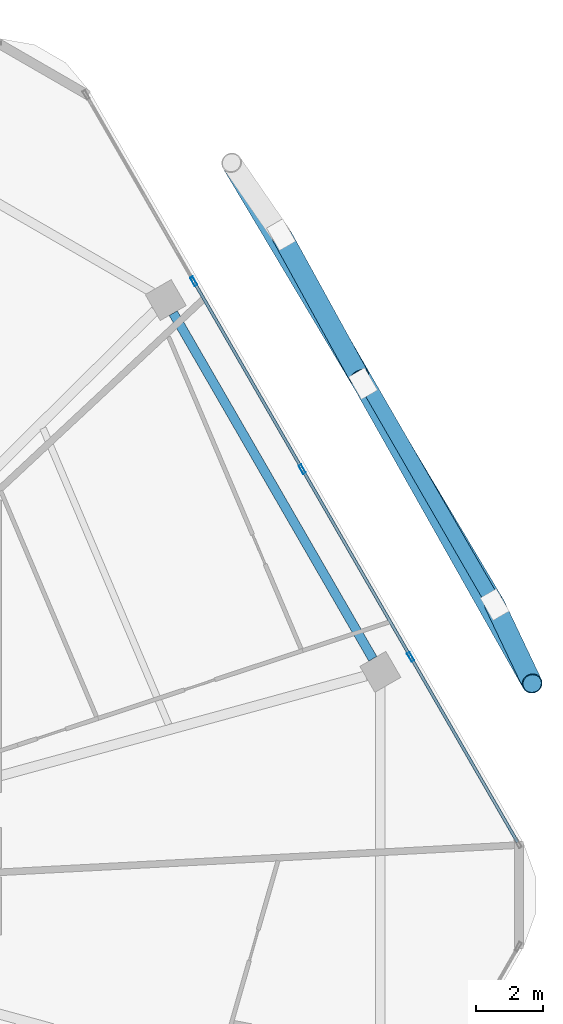
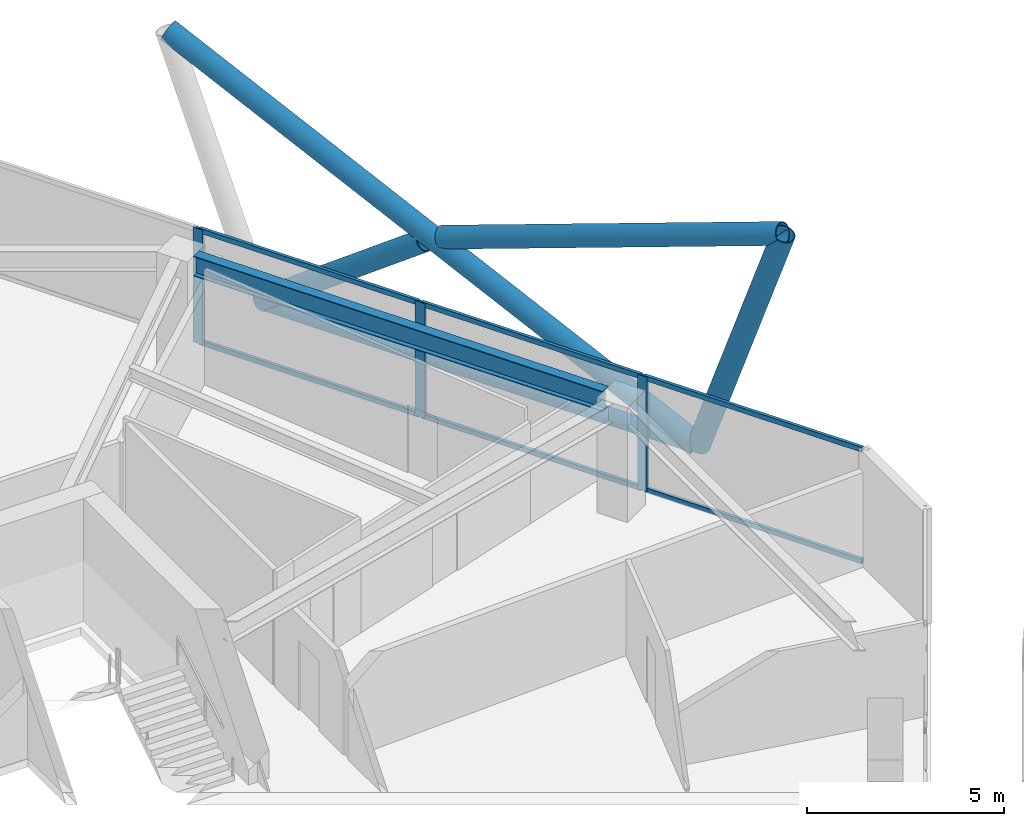
# One storey, part 17 of 28: 14 members, 1 beam, 1 element without a shape of its own.
"""IFC4 building model written with IfcOpenShell, lengths in metres."""

from ifc_helpers import new_model, si_unit, direction, frame, origin, origin_2d, place, context, subcontext, project, spatial, hollow_rectangle, hollow_circle, i_section, extrude, material, material_profile, profile_set, type_object, element, aggregate, save


model = new_model("IFC4")

# Units and contexts
model_context = context("Model", 3, precision=1e-05, world=origin(), true_north=direction((0.0, 1.0)))
body_context = subcontext(model_context, "Body", "Model", "MODEL_VIEW")
ifc_project = project(units=[si_unit("LENGTHUNIT", "METRE"), si_unit("AREAUNIT", "SQUARE_METRE"), si_unit("VOLUMEUNIT", "CUBIC_METRE"), si_unit("PLANEANGLEUNIT", "RADIAN"), si_unit("MASSUNIT", "GRAM", prefix="KILO")], contexts=[model_context])

# Site, building, storey
site_placement = place(None, origin())
site = spatial("IfcSite", under=ifc_project, at=site_placement, CompositionType="ELEMENT")
building_placement = place(site_placement, origin())
building = spatial("IfcBuilding", under=site, at=building_placement, Name="Zuhravey Tower", CompositionType="ELEMENT")
storey_placement = place(building_placement, frame((0.0, 0.0, 254.0)))
storey = spatial("IfcBuildingStorey", under=building, at=storey_placement, Name="L64", CompositionType="ELEMENT", Elevation=254.0)

# Curtain wall, members
ifc_material_1 = material(Name="Thermally broken anodised aluminium", Category="aluminium")
curtain_wall_type = type_object("IfcCurtainWallType", Name="Zone 3-4 High-Rise Curtain Wall CW4", PredefinedType="NOTDEFINED", material=ifc_material_1)
curtain_wall_placement = place(storey_placement, origin())
curtain_wall = element("IfcCurtainWall", 1, at=curtain_wall_placement, inside=storey, type_object=curtain_wall_type, Name="L64 CW4 CW-L64-F1-1", PredefinedType="NOTDEFINED")
ifc_material_2 = material(Name="Anodised aluminium", Category="aluminium")
ifc_material_profile_1 = material_profile(ifc_material_2, hollow_rectangle(XDim=0.090087890625, YDim=0.284912109375, WallThickness=0.0048828125, at=origin_2d()), Name="ALU-RHS-90x285x5")
ifc_profile_set_1 = profile_set([ifc_material_profile_1], Name="Anodised aluminium")
member_type_1 = type_object("IfcMemberType", Name="Curtain-Wall Mullion 90x180", PredefinedType="MULLION", material=ifc_profile_set_1)
member_1_placement = place(storey_placement, frame((54.885498046875, 50.41650390625, 0.0), z_axis=(0.0, 0.0, 1.0), x_axis=(0.866024851021, 0.500000957414, 0.0)))
member_1 = element("IfcMember", 2, at=member_1_placement, type_object=member_type_1, Name="CW4 mullion 2", PredefinedType="MULLION", context=body_context, shape_type="SweptSolid", body=[
    extrude(hollow_rectangle(XDim=0.090087890625, YDim=0.284912109375, WallThickness=0.0048828125, at=origin_2d()), origin(), (0.0, 0.0, 1.0), 3.550048828125),
])
member_2_placement = place(storey_placement, frame((58.138671875, 44.78173828125, 0.0), z_axis=(0.0, 0.0, 1.0), x_axis=(0.866024851021, 0.500000957414, 0.0)))
member_2 = element("IfcMember", 3, at=member_2_placement, type_object=member_type_1, Name="CW4 mullion 3", PredefinedType="MULLION", context=body_context, shape_type="SweptSolid", body=[
    extrude(hollow_rectangle(XDim=0.090087890625, YDim=0.284912109375, WallThickness=0.0048828125, at=origin_2d()), origin(), (0.0, 0.0, 1.0), 3.550048828125),
])
member_3_placement = place(storey_placement, frame((61.391845703125, 39.147216796875, 0.0), z_axis=(0.0, 0.0, 1.0), x_axis=(0.866024851021, 0.500000957414, 0.0)))
member_3 = element("IfcMember", 4, at=member_3_placement, type_object=member_type_1, Name="CW4 mullion 4", PredefinedType="MULLION", context=body_context, shape_type="SweptSolid", body=[
    extrude(hollow_rectangle(XDim=0.090087890625, YDim=0.284912109375, WallThickness=0.0048828125, at=origin_2d()), origin(), (0.0, 0.0, 1.0), 3.550048828125),
])
ifc_material_profile_2 = material_profile(ifc_material_2, hollow_rectangle(XDim=0.090087890625, YDim=0.14990234375, WallThickness=0.0048828125, at=origin_2d()), Name="ALU-RHS-90x150x5")
ifc_profile_set_2 = profile_set([ifc_material_profile_2], Name="Anodised aluminium")
member_type_2 = type_object("IfcMemberType", Name="Curtain-Wall Transom 90x150", PredefinedType="USERDEFINED", material=ifc_profile_set_2)
member_4_placement = place(storey_placement, frame((54.907958984375, 50.37744140625, 0.044921875), z_axis=(0.500014493347, -0.866017035885, 0.0), x_axis=(0.866017035885, 0.500014493347, 0.0)))
member_4 = element("IfcMember", 5, at=member_4_placement, type_object=member_type_2, Name="CW4 transom 2.1", ObjectType="TRANSOM", PredefinedType="USERDEFINED", context=body_context, shape_type="SweptSolid", body=[
    extrude(hollow_rectangle(XDim=0.090087890625, YDim=0.14990234375, WallThickness=0.0048828125, at=origin_2d()), origin(), (0.0, 0.0, 1.0), 6.416259765625),
])
member_5_placement = place(storey_placement, frame((54.907958984375, 50.37744140625, 3.5048828125), z_axis=(0.500014493347, -0.866017035885, 0.0), x_axis=(0.866017035885, 0.500014493347, 0.0)))
member_5 = element("IfcMember", 6, at=member_5_placement, type_object=member_type_2, Name="CW4 transom 2.2", ObjectType="TRANSOM", PredefinedType="USERDEFINED", context=body_context, shape_type="SweptSolid", body=[
    extrude(hollow_rectangle(XDim=0.090087890625, YDim=0.14990234375, WallThickness=0.0048828125, at=origin_2d()), origin(), (0.0, 0.0, 1.0), 6.416259765625),
])
member_6_placement = place(storey_placement, frame((58.1611328125, 44.742919921875, 0.044921875), z_axis=(0.499998017366, -0.866026548456, 0.0), x_axis=(0.866026548456, 0.499998017366, 0.0)))
member_6 = element("IfcMember", 7, at=member_6_placement, type_object=member_type_2, Name="CW4 transom 3.1", ObjectType="TRANSOM", PredefinedType="USERDEFINED", context=body_context, shape_type="SweptSolid", body=[
    extrude(hollow_rectangle(XDim=0.090087890625, YDim=0.14990234375, WallThickness=0.0048828125, at=origin_2d()), origin(), (0.0, 0.0, 1.0), 6.41650390625),
])
member_7_placement = place(storey_placement, frame((58.1611328125, 44.742919921875, 3.5048828125), z_axis=(0.499998017366, -0.866026548456, 0.0), x_axis=(0.866026548456, 0.499998017366, 0.0)))
member_7 = element("IfcMember", 8, at=member_7_placement, type_object=member_type_2, Name="CW4 transom 3.2", ObjectType="TRANSOM", PredefinedType="USERDEFINED", context=body_context, shape_type="SweptSolid", body=[
    extrude(hollow_rectangle(XDim=0.090087890625, YDim=0.14990234375, WallThickness=0.0048828125, at=origin_2d()), origin(), (0.0, 0.0, 1.0), 6.41650390625),
])
member_8_placement = place(storey_placement, frame((61.414306640625, 39.108154296875, 0.044921875), z_axis=(0.500008810174, -0.866020317169, 0.0), x_axis=(0.866020317169, 0.500008810174, 0.0)))
member_8 = element("IfcMember", 9, at=member_8_placement, type_object=member_type_2, Name="CW4 transom 4.1", ObjectType="TRANSOM", PredefinedType="USERDEFINED", context=body_context, shape_type="SweptSolid", body=[
    extrude(hollow_rectangle(XDim=0.090087890625, YDim=0.14990234375, WallThickness=0.0048828125, at=origin_2d()), origin(), (0.0, 0.0, 1.0), 6.37158203125),
])
member_9_placement = place(storey_placement, frame((61.414306640625, 39.108154296875, 3.5048828125), z_axis=(0.500008810174, -0.866020317169, 0.0), x_axis=(0.866020317169, 0.500008810174, 0.0)))
member_9 = element("IfcMember", 10, at=member_9_placement, type_object=member_type_2, Name="CW4 transom 4.2", ObjectType="TRANSOM", PredefinedType="USERDEFINED", context=body_context, shape_type="SweptSolid", body=[
    extrude(hollow_rectangle(XDim=0.090087890625, YDim=0.14990234375, WallThickness=0.0048828125, at=origin_2d()), origin(), (0.0, 0.0, 1.0), 6.37158203125),
])
aggregate(curtain_wall, [member_1, member_2, member_3, member_4, member_5, member_6, member_7, member_8, member_9])

# Members
ifc_material_3 = material(Name="Steel SM355", Category="steel")
ifc_material_profile_3 = material_profile(ifc_material_3, hollow_circle(Radius=0.228515625, WallThickness=0.02197265625, at=origin_2d()), Name="CHS-457.2x22")
ifc_profile_set_3 = profile_set([ifc_material_profile_3], Name="Steel SM355")
member_type_3 = type_object("IfcMemberType", Name="Exoskeleton Ring Tie CHS457x22", PredefinedType="CHORD", material=ifc_profile_set_3)
member_10_placement = place(storey_placement, frame((63.8447265625, 40.8388671875, -0.464111328125), z_axis=(-0.50000793057, 0.866020825019, 0.0), x_axis=(-0.866020825019, -0.50000793057, 0.0)))
element("IfcMember", 11, at=member_10_placement, inside=storey, type_object=member_type_3, Name="L64 Exoskeleton Face 1 Tie EXR1", PredefinedType="CHORD", context=body_context, shape_type="SweptSolid", body=[
    extrude(hollow_circle(Radius=0.228515625, WallThickness=0.02197265625, at=origin_2d()), origin(), (0.0, 0.0, 1.0), 12.535400390625),
])
ifc_material_profile_4 = material_profile(ifc_material_3, hollow_circle(Radius=0.3046875, WallThickness=0.028076171875, at=origin_2d()), Name="CHS-609.6x28")
ifc_profile_set_4 = profile_set([ifc_material_profile_4], Name="Steel SM355")
member_type_4 = type_object("IfcMemberType", Name="Exoskeleton Zone 3 Diagrid CHS610x28", PredefinedType="BRACE", material=ifc_profile_set_4)
member_11_placement = place(storey_placement, frame((63.91748046875, 40.7119140625, -0.446044921875), z_axis=(0.140342589475, -0.295326440186, 0.945032407543), x_axis=(0.903203375157, 0.429212841262, 0.0)))
element("IfcMember", 12, at=member_11_placement, inside=storey, type_object=member_type_4, Name="L64 Face 1 Diagrid Brace 1", PredefinedType="BRACE", context=body_context, shape_type="SweptSolid", body=[
    extrude(hollow_circle(Radius=0.3046875, WallThickness=0.028076171875, at=origin_2d()), origin(), (0.0, 0.0, 1.0), 8.00390625),
])
member_12_placement = place(storey_placement, frame((63.89599609375, 40.7490234375, -0.446044921875), z_axis=(-0.45911810435, 0.770804070739, 0.44166916441), x_axis=(-0.859142865373, -0.511735807697, 0.0)))
element("IfcMember", 13, at=member_12_placement, inside=storey, type_object=member_type_4, Name="L64 Face 1 Diagrid Brace 2", PredefinedType="BRACE", context=body_context, shape_type="SweptSolid", body=[
    extrude(hollow_circle(Radius=0.3046875, WallThickness=0.028076171875, at=origin_2d()), origin(), (0.0, 0.0, 1.0), 17.1259765625),
])
member_13_placement = place(storey_placement, frame((57.522705078125, 51.787353515625, -0.439697265625), z_axis=(0.386515283243, -0.702456564585, 0.59762924183), x_axis=(0.876129430688, 0.48207594908, 0.0)))
element("IfcMember", 14, at=member_13_placement, inside=storey, type_object=member_type_4, Name="L64 Face 1 Split Diagrid Brace 3A", PredefinedType="BRACE", context=body_context, shape_type="SweptSolid", body=[
    extrude(hollow_circle(Radius=0.3046875, WallThickness=0.028076171875, at=origin_2d()), origin(), (0.0, 0.0, 1.0), 6.022705078125),
])
member_14_placement = place(storey_placement, frame((60.1005859375, 47.108154296875, 3.437744140625), z_axis=(0.461031730306, -0.817600422906, 0.344933750326), x_axis=(0.871059956497, 0.491176701593, 0.0)))
element("IfcMember", 15, at=member_14_placement, inside=storey, type_object=member_type_4, Name="L64 Face 1 Split Diagrid Brace 3B", PredefinedType="BRACE", context=body_context, shape_type="SweptSolid", body=[
    extrude(hollow_circle(Radius=0.3046875, WallThickness=0.028076171875, at=origin_2d()), origin(), (0.0, 0.0, 1.0), 10.6806640625),
])

# Beam
ifc_material_profile_5 = material_profile(ifc_material_3, i_section(OverallWidth=0.280029296875, OverallDepth=0.6201171875, WebThickness=0.011962890625, FlangeThickness=0.02001953125, at=origin_2d()), Name="H-620x280x12x20")
ifc_profile_set_5 = profile_set([ifc_material_profile_5], Name="Steel SM355")
beam_type = type_object("IfcBeamType", Name="Perimeter Ring Beam H620x280", PredefinedType="BEAM", material=ifc_profile_set_5)
beam_placement = place(storey_placement, frame((60.258056640625, 39.09130859375, 3.239990234375), z_axis=(-0.500017744717, 0.866015158625, 0.0), x_axis=(-0.866015158625, -0.500017744717, 0.0)))
element("IfcBeam", 16, at=beam_placement, inside=storey, type_object=beam_type, Name="L64 PB3 BM-L64-PB-01", PredefinedType="BEAM", context=body_context, shape_type="SweptSolid", body=[
    extrude(i_section(OverallWidth=0.280029296875, OverallDepth=0.6201171875, WebThickness=0.011962890625, FlangeThickness=0.02001953125, at=origin_2d()), origin(), (0.0, 0.0, 1.0), 11.9755859375),
])

save(model, "model.ifc")
